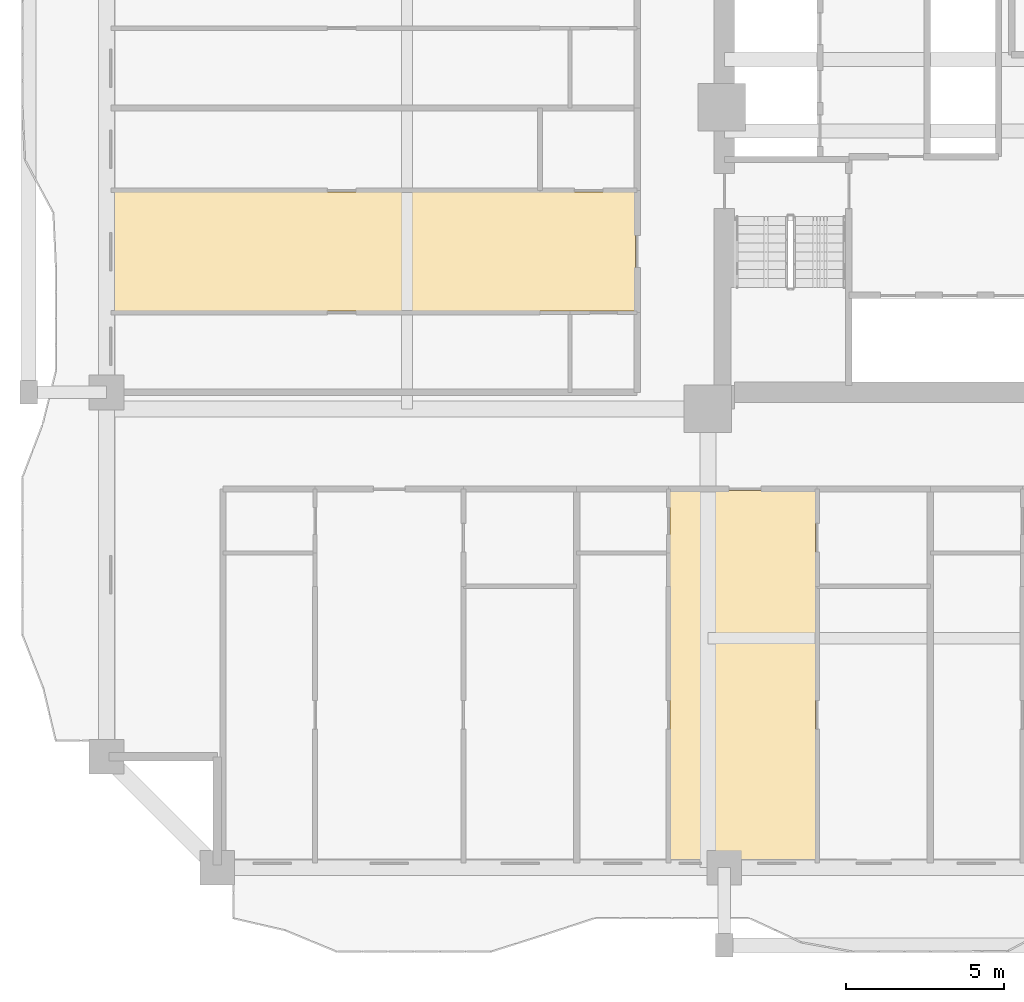
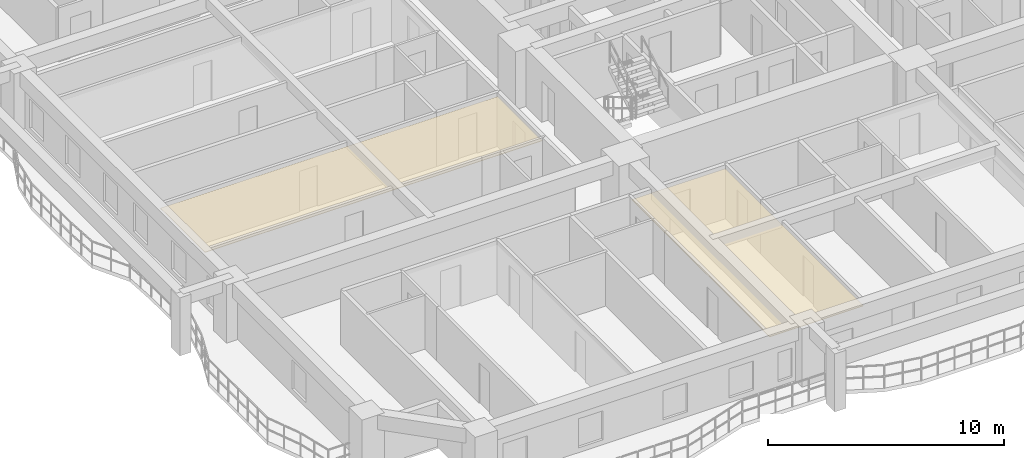
# One storey, part 12 of 16: 2 coverings.
"""IFC4 building model written with IfcOpenShell, lengths in metres."""

import ifcopenshell
import ifcopenshell.guid

model = None  # the IFC model being written
_history = None  # IfcOwnerHistory: only IFC2X3 demands one
_inside = {}  # id of a spatial element -> (the spatial element, [elements in it])
_under = {}  # id of a project, library or spatial element -> (it, [spatial elements below it])
_declared = {}  # id of a project -> (the project, [libraries it declares])
_typed = {}  # id of a type object -> (the type object, [elements of that type])
_made_of = {}  # id of a material, layer set ... -> (it, [elements and type objects made of it])


def new_model(schema):
    """Start an empty IFC model of exactly this schema.

    Asked for "IFC4X3", IfcOpenShell would pick the latest addendum, in which some entities
    have other attributes; the version numbers below select the first issue.
    IFC2X3 requires an IfcOwnerHistory on every rooted entity: one is made here for all.
    """
    global model, _history
    if schema == "IFC4X3":
        model = ifcopenshell.file(schema_version=(4, 3, 0, 0))
    else:
        model = ifcopenshell.file(schema=schema)
    _inside.clear()
    _under.clear()
    _declared.clear()
    _typed.clear()
    _made_of.clear()
    _history = None
    if model.schema == "IFC2X3":
        org = make("IfcOrganization", Name="unknown")
        user = make(
            "IfcPersonAndOrganization",
            ThePerson=make("IfcPerson", FamilyName="unknown"),
            TheOrganization=org,
        )
        app = make(
            "IfcApplication",
            ApplicationDeveloper=org,
            Version="unknown",
            ApplicationFullName="unknown",
            ApplicationIdentifier="unknown",
        )
        _history = make(
            "IfcOwnerHistory",
            OwningUser=user,
            OwningApplication=app,
            ChangeAction="ADDED",
            CreationDate=0,
        )
    return model


def make(cls, **values):
    """One entity of the class cls with the attributes given. An attribute that is None is left unset."""
    return model.create_entity(
        cls, **{name: value for name, value in values.items() if value is not None}
    )


def rooted(cls, **values):
    """An entity with a GlobalId (a new one), such as an element, a storey or a relation."""
    return make(cls, GlobalId=ifcopenshell.guid.new(), OwnerHistory=_history, **values)


def si_unit(unit_type, name, prefix=None):
    """IfcSIUnit, for example si_unit("LENGTHUNIT", "METRE", prefix="MILLI")."""
    return make("IfcSIUnit", UnitType=unit_type, Prefix=prefix, Name=name)


def assignment(units):
    """IfcUnitAssignment: the units of a project."""
    return None if units is None else make("IfcUnitAssignment", Units=units)


def point(xyz):
    """IfcCartesianPoint."""
    return None if xyz is None else make("IfcCartesianPoint", Coordinates=xyz)


def direction(xyz):
    """IfcDirection."""
    return None if xyz is None else make("IfcDirection", DirectionRatios=xyz)


def frame(location, z_axis=None, x_axis=None):
    """IfcAxis2Placement3D, a coordinate frame: its origin and axes. An axis left out is left unset."""
    return make(
        "IfcAxis2Placement3D",
        Location=point(location),
        Axis=direction(z_axis),
        RefDirection=direction(x_axis),
    )


def origin():
    """The frame at (0, 0, 0) with its axes left unset."""
    return frame((0.0, 0.0, 0.0))


def place(relative_to, where):
    """IfcLocalPlacement: puts the frame where relative to a parent placement (None: the world)."""
    return make(
        "IfcLocalPlacement", PlacementRelTo=relative_to, RelativePlacement=where
    )


def context(
    kind, dimensions, precision=None, world=None, true_north=None, identifier=None
):
    """IfcGeometricRepresentationContext, for example the 3D "Model" context."""
    return make(
        "IfcGeometricRepresentationContext",
        ContextIdentifier=identifier,
        ContextType=kind,
        CoordinateSpaceDimension=dimensions,
        Precision=precision,
        WorldCoordinateSystem=world,
        TrueNorth=true_north,
    )


def subcontext(parent, identifier, kind, view, scale=None):
    """IfcGeometricRepresentationSubContext, for example "Body" below "Model"."""
    return make(
        "IfcGeometricRepresentationSubContext",
        ContextIdentifier=identifier,
        ContextType=kind,
        ParentContext=parent,
        TargetScale=scale,
        TargetView=view,
    )


def project(units=None, contexts=None):
    """IfcProject with its units and contexts."""
    return rooted(
        "IfcProject",
        Name="project",
        RepresentationContexts=contexts,
        UnitsInContext=assignment(units),
    )


def spatial(cls, under=None, at=None, **own):
    """A site, building, storey or space (cls), placed at a placement, below another one or the project."""
    s = rooted(cls, ObjectPlacement=at, **own)
    if under is not None:
        _under.setdefault(under.id(), (under, []))[1].append(s)
    return s


def polyline(points):
    """IfcPolyline through the points."""
    return make("IfcPolyline", Points=[point(p) for p in points])


def outline(outer, holes=None, kind="AREA"):
    """IfcArbitraryClosedProfileDef: a profile drawn as a closed curve; with holes, ...WithVoids."""
    if holes is None:
        return make("IfcArbitraryClosedProfileDef", ProfileType=kind, OuterCurve=outer)
    return make(
        "IfcArbitraryProfileDefWithVoids",
        ProfileType=kind,
        OuterCurve=outer,
        InnerCurves=holes,
    )


def extrude(swept, where, along, depth):
    """IfcExtrudedAreaSolid: the profile swept, set in the frame where, extruded along a direction by depth."""
    return make(
        "IfcExtrudedAreaSolid",
        SweptArea=swept,
        Position=where,
        ExtrudedDirection=direction(along),
        Depth=depth,
    )


def shape(context_of_items, identifier, shape_type, items):
    """IfcShapeRepresentation: the items that make up one representation, for example the "Body"."""
    return make(
        "IfcShapeRepresentation",
        ContextOfItems=context_of_items,
        RepresentationIdentifier=identifier,
        RepresentationType=shape_type,
        Items=items,
    )


def material(Name=None, Category=None):
    """IfcMaterial."""
    return make("IfcMaterial", Name=Name, Category=Category)


def layer(
    of_material, thickness, ventilated=None, Name=None, Category=None, Priority=None
):
    """IfcMaterialLayer: one layer of a wall or slab, of a material (None: an air gap)."""
    return make(
        "IfcMaterialLayer",
        Material=of_material,
        LayerThickness=thickness,
        IsVentilated=ventilated,
        Name=Name,
        Category=Category,
        Priority=Priority,
    )


def layer_set(layers, Name=None):
    """IfcMaterialLayerSet."""
    return make("IfcMaterialLayerSet", MaterialLayers=layers, LayerSetName=Name)


def made_of(thing, what):
    """Note that an element or type object is made of a material, layer set ...; save() writes the relation."""
    if what is not None:
        _made_of.setdefault(what.id(), (what, []))[1].append(thing)
    return thing


def type_object(cls, material=None, **own):
    """A type object (cls), such as IfcWallType, which elements share."""
    return made_of(rooted(cls, **own), material)


def element(
    cls,
    number,
    at=None,
    inside=None,
    cuts=None,
    type_object=None,
    material=None,
    context=None,
    identifier="Body",
    shape_type=None,
    held_by="IfcProductDefinitionShape",
    body=None,
    shapes=None,
    **own,
):
    """One element of the class cls, such as IfcWall. Its Tag is "e" and its number.

    at: its placement. inside: the storey or other place that contains it. cuts: it is an
    opening in that element (IfcRelVoidsElement). A single representation is given by context,
    identifier, shape_type and body (its items); several are given by shapes. held_by: the class
    of the entity that holds the representations. save() writes the other relations.
    """
    e = rooted(cls, Tag="e%d" % number, ObjectPlacement=at, **own)
    if body is not None:
        shapes = [shape(context, identifier, shape_type, body)]
    if shapes is not None:
        e.Representation = make(held_by, Representations=shapes)
    if inside is not None:
        _inside.setdefault(inside.id(), (inside, []))[1].append(e)
    if cuts is not None:
        rooted(
            "IfcRelVoidsElement", RelatingBuildingElement=cuts, RelatedOpeningElement=e
        )
    if type_object is not None:
        _typed.setdefault(type_object.id(), (type_object, []))[1].append(e)
    return made_of(e, material)


def aggregate(whole, parts):
    """IfcRelAggregates: a whole, such as a stair, and the parts it consists of."""
    return rooted("IfcRelAggregates", RelatingObject=whole, RelatedObjects=parts)


def save(model, path):
    """Write the relations noted so far, then the file.

    IfcRelAggregates (storeys below a building ...), IfcRelContainedInSpatialStructure (elements
    in a storey), IfcRelDefinesByType, IfcRelAssociatesMaterial and IfcRelDeclares: one each for
    every whole, place, type object, material and project.
    """
    for whole, parts in _under.values():
        aggregate(whole, parts)
    for where, things in _inside.values():
        rooted(
            "IfcRelContainedInSpatialStructure",
            RelatedElements=things,
            RelatingStructure=where,
        )
    for kind, things in _typed.values():
        rooted("IfcRelDefinesByType", RelatedObjects=things, RelatingType=kind)
    for what, things in _made_of.values():
        rooted("IfcRelAssociatesMaterial", RelatedObjects=things, RelatingMaterial=what)
    for by, libraries in _declared.values():
        rooted("IfcRelDeclares", RelatingContext=by, RelatedDefinitions=libraries)
    model.write(path)


model = new_model("IFC4")

# Units and contexts
model_context = context("Model", 3, precision=1e-05, world=origin(), true_north=direction((0.0, 1.0)))
body_context = subcontext(model_context, "Body", "Model", "MODEL_VIEW")
ifc_project = project(units=[si_unit("LENGTHUNIT", "METRE"), si_unit("AREAUNIT", "SQUARE_METRE"), si_unit("VOLUMEUNIT", "CUBIC_METRE"), si_unit("PLANEANGLEUNIT", "RADIAN"), si_unit("MASSUNIT", "GRAM", prefix="KILO")], contexts=[model_context])

# Site, building, storey
site_placement = place(None, origin())
site = spatial("IfcSite", under=ifc_project, at=site_placement, CompositionType="ELEMENT")
building_placement = place(site_placement, origin())
building = spatial("IfcBuilding", under=site, at=building_placement, Name="Saelheon Loggia Tower", CompositionType="ELEMENT")
storey_placement = place(building_placement, frame((0.0, 0.0, 37.39990234375)))
storey = spatial("IfcBuildingStorey", under=building, at=storey_placement, Name="L11", CompositionType="ELEMENT", Elevation=37.39990234375)

# Coverings
ifc_material = material(Name="Mineral-Fibre Acoustic Ceiling Board", Category="gypsum")
ifc_layer = layer(ifc_material, 0.02490234375)
ifc_layer_set = layer_set([ifc_layer], Name="Mineral-Fibre Acoustic Ceiling Board")
covering_type = type_object("IfcCoveringType", Name="Cov_Ceiling_Acoustic", PredefinedType="CEILING", material=ifc_layer_set)
covering_1_placement = place(storey_placement, frame((0.0, 0.0, 2.53515625)))
element("IfcCovering", 1, at=covering_1_placement, inside=storey, type_object=covering_type, Name="L11 Acoustic Suspended Ceiling", PredefinedType="CEILING", context=body_context, shape_type="SweptSolid", body=[
    extrude(outline(polyline([(29.79150390625, 3.199951171875), (34.37890625, 3.199951171875), (34.37890625, 14.89990234375), (29.79150390625, 14.89990234375), (29.79150390625, 3.199951171875)])), origin(), (0.0, 0.0, 1.0), 0.02490234375),
])
covering_2_placement = place(storey_placement, frame((0.0, 0.0, 2.53515625)))
element("IfcCovering", 2, at=covering_2_placement, inside=storey, type_object=covering_type, Name="L11 Acoustic Suspended Ceiling", PredefinedType="CEILING", context=body_context, shape_type="SweptSolid", body=[
    extrude(outline(polyline([(12.199951171875, 20.56298828125), (28.699951171875, 20.56298828125), (28.699951171875, 24.324951171875), (12.199951171875, 24.324951171875), (12.199951171875, 20.56298828125)])), origin(), (0.0, 0.0, 1.0), 0.02490234375),
])

save(model, "model.ifc")
